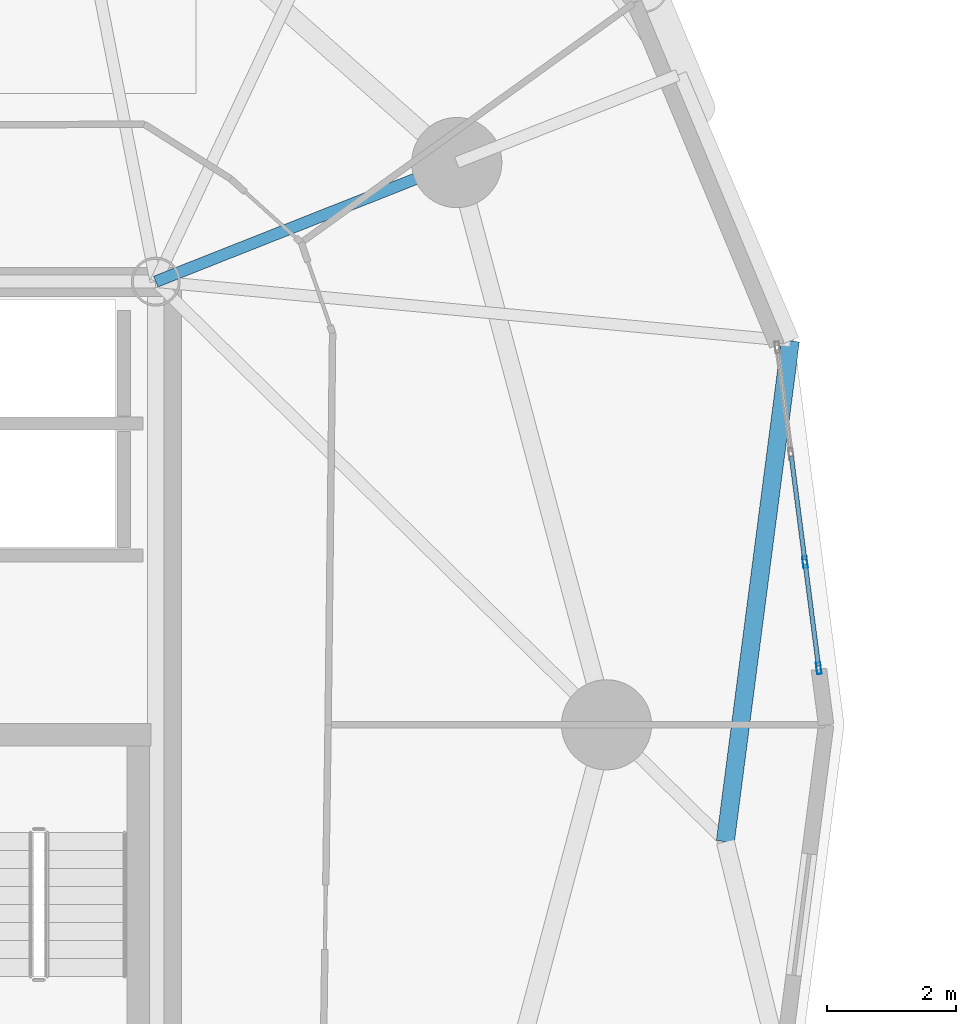
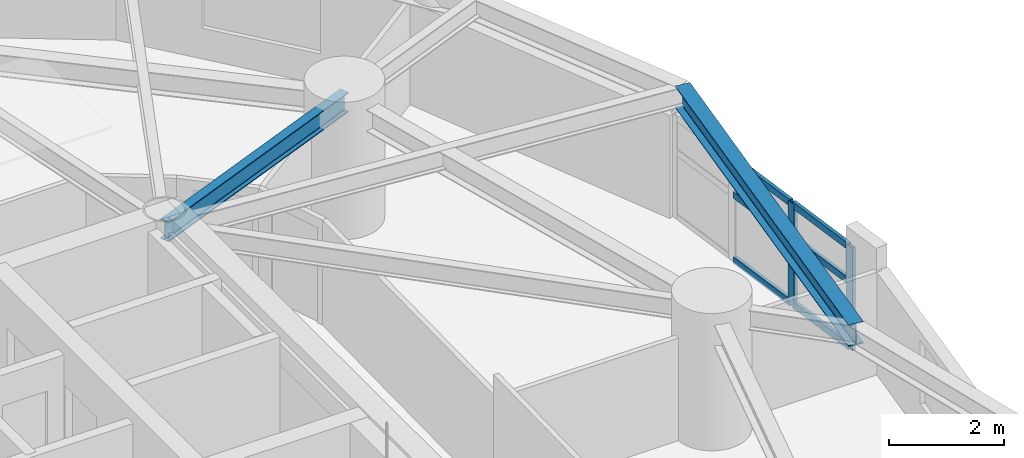
# One storey, part 2 of 16: 8 members, 2 beams, 1 element without a shape of its own.
"""IFC4 building model written with IfcOpenShell, lengths in metres."""

from ifc_helpers import new_model, si_unit, direction, frame, origin, origin_2d, place, context, subcontext, project, spatial, hollow_rectangle, i_section, extrude, material, layer, layer_set, material_profile, profile_set, type_object, element, aggregate, save


model = new_model("IFC4")

# Units and contexts
model_context = context("Model", 3, precision=1e-05, world=origin(), true_north=direction((0.0, 1.0)))
body_context = subcontext(model_context, "Body", "Model", "MODEL_VIEW")
ifc_project = project(units=[si_unit("LENGTHUNIT", "METRE"), si_unit("AREAUNIT", "SQUARE_METRE"), si_unit("VOLUMEUNIT", "CUBIC_METRE"), si_unit("PLANEANGLEUNIT", "RADIAN"), si_unit("MASSUNIT", "GRAM", prefix="KILO")], contexts=[model_context])

# Site, building, storey
site_placement = place(None, origin())
site = spatial("IfcSite", under=ifc_project, at=site_placement, CompositionType="ELEMENT")
building_placement = place(site_placement, origin())
building = spatial("IfcBuilding", under=site, at=building_placement, Name="Cununo Teusaquillo Station Towers", CompositionType="ELEMENT")
storey_placement = place(building_placement, frame((0.0, 0.0, 99.25)))
storey = spatial("IfcBuildingStorey", under=building, at=storey_placement, Name="L31", CompositionType="ELEMENT", Elevation=99.25)

# Beams
ifc_material_1 = material(Name="Steel ASTM A572 Grade 50", Category="steel")
ifc_material_profile_1 = material_profile(ifc_material_1, i_section(OverallWidth=0.180908203125, OverallDepth=0.4169921875, WebThickness=0.010986328125, FlangeThickness=0.018310546875, FilletRadius=0.012939453125, at=origin_2d()), Name="W16X57")
ifc_profile_set_1 = profile_set([ifc_material_profile_1], Name="Steel ASTM A572 Grade 50")
beam_type_1 = type_object("IfcBeamType", Name="BM-RAD-G2", PredefinedType="BEAM", material=ifc_profile_set_1)
beam_1_placement = place(storey_placement, frame((21.675048828125, 31.3798828125, 2.46142578125), z_axis=(0.929864104313, 0.367903176814, 0.0), x_axis=(-0.367903176814, 0.929864104313, 0.0)))
element("IfcBeam", 1, at=beam_1_placement, inside=storey, type_object=beam_type_1, Name="L31 Tower A Radial Girder 02A", PredefinedType="BEAM", context=body_context, shape_type="SweptSolid", body=[
    extrude(i_section(OverallWidth=0.180908203125, OverallDepth=0.4169921875, WebThickness=0.010986328125, FlangeThickness=0.018310546875, FilletRadius=0.012939453125, at=origin_2d()), origin(), (0.0, 0.0, 1.0), 5.02490234375),
])
ifc_material_2 = material(Name="Steel ASTM A572 Grade 50", Category="steel")
ifc_material_profile_2 = material_profile(ifc_material_2, i_section(OverallWidth=0.280029296875, OverallDepth=0.462890625, WebThickness=0.0107421875, FlangeThickness=0.017333984375, FilletRadius=0.013916015625, at=origin_2d()), Name="W18X76")
ifc_profile_set_2 = profile_set([ifc_material_profile_2], Name="Steel ASTM A572 Grade 50")
beam_type_2 = type_object("IfcBeamType", Name="BM-RING-Z2", PredefinedType="SPANDREL", material=ifc_profile_set_2)
beam_2_placement = place(storey_placement, frame((30.51708984375, 22.685791015625, 2.4384765625), z_axis=(0.12888124113, 0.991660035337, 0.0), x_axis=(-0.991660035337, 0.12888124113, 0.0)))
element("IfcBeam", 2, at=beam_2_placement, inside=storey, type_object=beam_type_2, Name="L31 Tower A Spandrel Ring Beam 01", PredefinedType="SPANDREL", context=body_context, shape_type="SweptSolid", body=[
    extrude(i_section(OverallWidth=0.280029296875, OverallDepth=0.462890625, WebThickness=0.0107421875, FlangeThickness=0.017333984375, FilletRadius=0.013916015625, at=origin_2d()), origin(), (0.0, 0.0, 1.0), 7.840576171875),
])

# Curtain wall, members
ifc_material_3 = material(Name="Ceramic-fritted dark low-E double glazing", Category="glass")
ifc_layer = layer(ifc_material_3, 0.179931640625)
ifc_layer_set = layer_set([ifc_layer], Name="Ceramic-fritted dark low-E double glazing")
curtain_wall_type = type_object("IfcCurtainWallType", Name="CW-SYS-04", PredefinedType="USERDEFINED", material=ifc_layer_set)
curtain_wall_placement = place(storey_placement, origin())
curtain_wall = element("IfcCurtainWall", 3, at=curtain_wall_placement, inside=storey, type_object=curtain_wall_type, Name="L31 Tower A Facade Curtain Wall C00", ObjectType="FRITTED GLAZING", PredefinedType="USERDEFINED")
ifc_material_4 = material(Name="Anodised dark bronze aluminium EN AW-6063-T6", Category="aluminium")
ifc_material_profile_3 = material_profile(ifc_material_4, hollow_rectangle(XDim=0.070068359375, YDim=0.179931640625, WallThickness=0.00390625, at=origin_2d()), Name="CW-MULL-70x180")
ifc_profile_set_3 = profile_set([ifc_material_profile_3], Name="Anodised dark bronze aluminium EN AW-6063-T6")
member_type_1 = type_object("IfcMemberType", Name="CWM-180", PredefinedType="MULLION", material=ifc_profile_set_3)
member_1_placement = place(storey_placement, frame((31.754150390625, 27.0263671875, 0.0), z_axis=(0.0, 0.0, 1.0), x_axis=(0.991730764367, 0.128335852387, 0.0)))
member_1 = element("IfcMember", 4, at=member_1_placement, type_object=member_type_1, Name="CW-04 mullion 3", PredefinedType="MULLION", context=body_context, shape_type="SweptSolid", body=[
    extrude(hollow_rectangle(XDim=0.070068359375, YDim=0.179931640625, WallThickness=0.00390625, at=origin_2d()), origin(), (0.0, 0.0, 1.0), 2.178955078125),
])
member_2_placement = place(storey_placement, frame((31.967529296875, 25.377685546875, 0.0), z_axis=(0.0, 0.0, 1.0), x_axis=(0.991730764367, 0.128335852387, 0.0)))
member_2 = element("IfcMember", 5, at=member_2_placement, type_object=member_type_1, Name="CW-04 mullion 4", PredefinedType="MULLION", context=body_context, shape_type="SweptSolid", body=[
    extrude(hollow_rectangle(XDim=0.070068359375, YDim=0.179931640625, WallThickness=0.00390625, at=origin_2d()), origin(), (0.0, 0.0, 1.0), 2.178955078125),
])
ifc_material_5 = material(Name="Anodised dark bronze aluminium EN AW-6063-T6", Category="aluminium")
ifc_material_profile_4 = material_profile(ifc_material_5, hollow_rectangle(XDim=0.070068359375, YDim=0.139892578125, WallThickness=0.00390625, at=origin_2d()), Name="CW-TRAN-70x140")
ifc_profile_set_4 = profile_set([ifc_material_profile_4], Name="Anodised dark bronze aluminium EN AW-6063-T6")
member_type_2 = type_object("IfcMemberType", Name="CWT-140", PredefinedType="USERDEFINED", material=ifc_profile_set_4)
member_3_placement = place(storey_placement, frame((31.540771484375, 28.675048828125, 0.034912109375), z_axis=(0.128261686134, -0.991740359101, 0.0), x_axis=(0.991740359101, 0.128261686134, 0.0)))
member_3 = element("IfcMember", 6, at=member_3_placement, type_object=member_type_2, Name="CW-04 transom 2.1", ObjectType="TRANSOM", PredefinedType="USERDEFINED", context=body_context, shape_type="SweptSolid", body=[
    extrude(hollow_rectangle(XDim=0.070068359375, YDim=0.139892578125, WallThickness=0.00390625, at=origin_2d()), origin(), (0.0, 0.0, 1.0), 1.62744140625),
])
member_4_placement = place(storey_placement, frame((31.540771484375, 28.675048828125, 1.416015625), z_axis=(0.128261686134, -0.991740359101, 0.0), x_axis=(0.991740359101, 0.128261686134, 0.0)))
member_4 = element("IfcMember", 7, at=member_4_placement, type_object=member_type_2, Name="CW-04 transom 2.2", ObjectType="TRANSOM", PredefinedType="USERDEFINED", context=body_context, shape_type="SweptSolid", body=[
    extrude(hollow_rectangle(XDim=0.070068359375, YDim=0.139892578125, WallThickness=0.00390625, at=origin_2d()), origin(), (0.0, 0.0, 1.0), 1.62744140625),
])
member_5_placement = place(storey_placement, frame((31.540771484375, 28.675048828125, 2.14404296875), z_axis=(0.128261686134, -0.991740359101, 0.0), x_axis=(0.991740359101, 0.128261686134, 0.0)))
member_5 = element("IfcMember", 8, at=member_5_placement, type_object=member_type_2, Name="CW-04 transom 2.3", ObjectType="TRANSOM", PredefinedType="USERDEFINED", context=body_context, shape_type="SweptSolid", body=[
    extrude(hollow_rectangle(XDim=0.070068359375, YDim=0.139892578125, WallThickness=0.00390625, at=origin_2d()), origin(), (0.0, 0.0, 1.0), 1.62744140625),
])
member_6_placement = place(storey_placement, frame((31.758544921875, 26.99169921875, 0.034912109375), z_axis=(0.128316698748, -0.991733242774, 0.0), x_axis=(0.991733242774, 0.128316698748, 0.0)))
member_6 = element("IfcMember", 9, at=member_6_placement, type_object=member_type_2, Name="CW-04 transom 3.1", ObjectType="TRANSOM", PredefinedType="USERDEFINED", context=body_context, shape_type="SweptSolid", body=[
    extrude(hollow_rectangle(XDim=0.070068359375, YDim=0.139892578125, WallThickness=0.00390625, at=origin_2d()), origin(), (0.0, 0.0, 1.0), 1.592529296875),
])
member_7_placement = place(storey_placement, frame((31.758544921875, 26.99169921875, 1.416015625), z_axis=(0.128316698748, -0.991733242774, 0.0), x_axis=(0.991733242774, 0.128316698748, 0.0)))
member_7 = element("IfcMember", 10, at=member_7_placement, type_object=member_type_2, Name="CW-04 transom 3.2", ObjectType="TRANSOM", PredefinedType="USERDEFINED", context=body_context, shape_type="SweptSolid", body=[
    extrude(hollow_rectangle(XDim=0.070068359375, YDim=0.139892578125, WallThickness=0.00390625, at=origin_2d()), origin(), (0.0, 0.0, 1.0), 1.592529296875),
])
member_8_placement = place(storey_placement, frame((31.758544921875, 26.99169921875, 2.14404296875), z_axis=(0.128316698748, -0.991733242774, 0.0), x_axis=(0.991733242774, 0.128316698748, 0.0)))
member_8 = element("IfcMember", 11, at=member_8_placement, type_object=member_type_2, Name="CW-04 transom 3.3", ObjectType="TRANSOM", PredefinedType="USERDEFINED", context=body_context, shape_type="SweptSolid", body=[
    extrude(hollow_rectangle(XDim=0.070068359375, YDim=0.139892578125, WallThickness=0.00390625, at=origin_2d()), origin(), (0.0, 0.0, 1.0), 1.592529296875),
])
aggregate(curtain_wall, [member_1, member_2, member_3, member_4, member_5, member_6, member_7, member_8])

save(model, "model.ifc")
